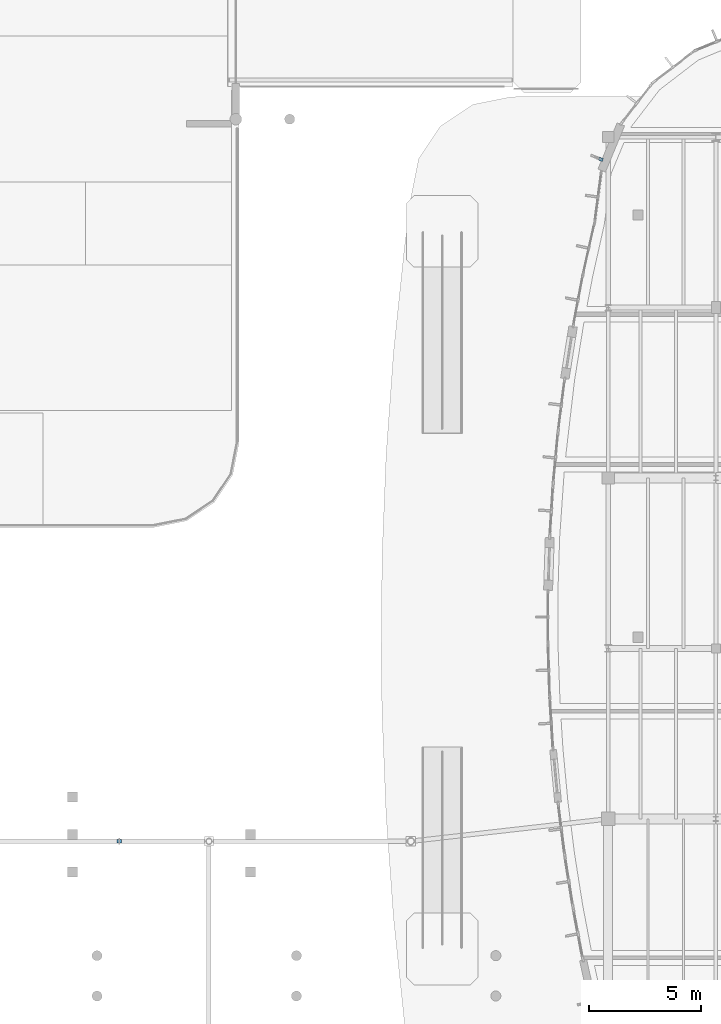
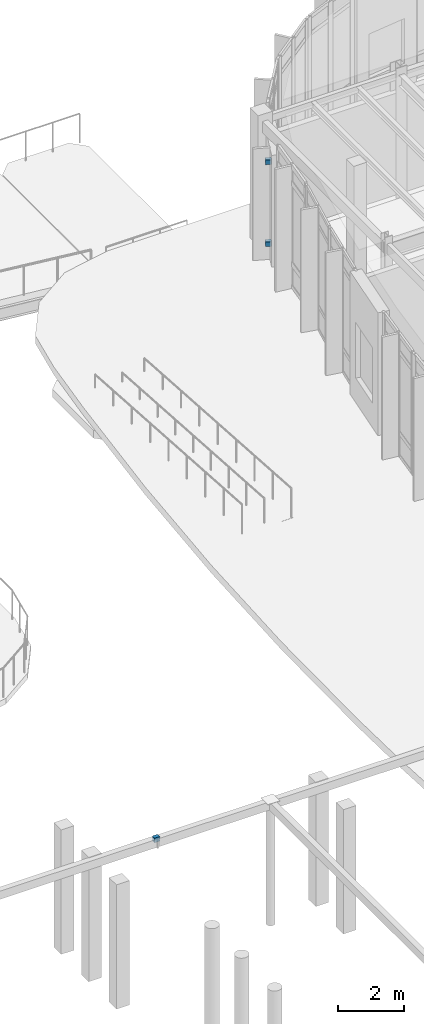
# One storey, part 101 of 120: 3 discrete accessories.
"""IFC4 building model written with IfcOpenShell, lengths in metres."""

import ifcopenshell
import ifcopenshell.guid

model = None  # the IFC model being written
_history = None  # IfcOwnerHistory: only IFC2X3 demands one
_inside = {}  # id of a spatial element -> (the spatial element, [elements in it])
_under = {}  # id of a project, library or spatial element -> (it, [spatial elements below it])
_declared = {}  # id of a project -> (the project, [libraries it declares])
_typed = {}  # id of a type object -> (the type object, [elements of that type])
_made_of = {}  # id of a material, layer set ... -> (it, [elements and type objects made of it])


def new_model(schema):
    """Start an empty IFC model of exactly this schema.

    Asked for "IFC4X3", IfcOpenShell would pick the latest addendum, in which some entities
    have other attributes; the version numbers below select the first issue.
    IFC2X3 requires an IfcOwnerHistory on every rooted entity: one is made here for all.
    """
    global model, _history
    if schema == "IFC4X3":
        model = ifcopenshell.file(schema_version=(4, 3, 0, 0))
    else:
        model = ifcopenshell.file(schema=schema)
    _inside.clear()
    _under.clear()
    _declared.clear()
    _typed.clear()
    _made_of.clear()
    _history = None
    if model.schema == "IFC2X3":
        org = make("IfcOrganization", Name="unknown")
        user = make(
            "IfcPersonAndOrganization",
            ThePerson=make("IfcPerson", FamilyName="unknown"),
            TheOrganization=org,
        )
        app = make(
            "IfcApplication",
            ApplicationDeveloper=org,
            Version="unknown",
            ApplicationFullName="unknown",
            ApplicationIdentifier="unknown",
        )
        _history = make(
            "IfcOwnerHistory",
            OwningUser=user,
            OwningApplication=app,
            ChangeAction="ADDED",
            CreationDate=0,
        )
    return model


def make(cls, **values):
    """One entity of the class cls with the attributes given. An attribute that is None is left unset."""
    return model.create_entity(
        cls, **{name: value for name, value in values.items() if value is not None}
    )


def rooted(cls, **values):
    """An entity with a GlobalId (a new one), such as an element, a storey or a relation."""
    return make(cls, GlobalId=ifcopenshell.guid.new(), OwnerHistory=_history, **values)


def si_unit(unit_type, name, prefix=None):
    """IfcSIUnit, for example si_unit("LENGTHUNIT", "METRE", prefix="MILLI")."""
    return make("IfcSIUnit", UnitType=unit_type, Prefix=prefix, Name=name)


def assignment(units):
    """IfcUnitAssignment: the units of a project."""
    return None if units is None else make("IfcUnitAssignment", Units=units)


def point(xyz):
    """IfcCartesianPoint."""
    return None if xyz is None else make("IfcCartesianPoint", Coordinates=xyz)


def direction(xyz):
    """IfcDirection."""
    return None if xyz is None else make("IfcDirection", DirectionRatios=xyz)


def frame(location, z_axis=None, x_axis=None):
    """IfcAxis2Placement3D, a coordinate frame: its origin and axes. An axis left out is left unset."""
    return make(
        "IfcAxis2Placement3D",
        Location=point(location),
        Axis=direction(z_axis),
        RefDirection=direction(x_axis),
    )


def frame_2d(location, x_axis=None):
    """IfcAxis2Placement2D, a coordinate frame in the plane: its origin and x axis."""
    return make(
        "IfcAxis2Placement2D", Location=point(location), RefDirection=direction(x_axis)
    )


def origin():
    """The frame at (0, 0, 0) with its axes left unset."""
    return frame((0.0, 0.0, 0.0))


def origin_2d():
    """The frame at (0, 0) in the plane with its x axis left unset."""
    return frame_2d((0.0, 0.0))


def place(relative_to, where):
    """IfcLocalPlacement: puts the frame where relative to a parent placement (None: the world)."""
    return make(
        "IfcLocalPlacement", PlacementRelTo=relative_to, RelativePlacement=where
    )


def context(
    kind, dimensions, precision=None, world=None, true_north=None, identifier=None
):
    """IfcGeometricRepresentationContext, for example the 3D "Model" context."""
    return make(
        "IfcGeometricRepresentationContext",
        ContextIdentifier=identifier,
        ContextType=kind,
        CoordinateSpaceDimension=dimensions,
        Precision=precision,
        WorldCoordinateSystem=world,
        TrueNorth=true_north,
    )


def subcontext(parent, identifier, kind, view, scale=None):
    """IfcGeometricRepresentationSubContext, for example "Body" below "Model"."""
    return make(
        "IfcGeometricRepresentationSubContext",
        ContextIdentifier=identifier,
        ContextType=kind,
        ParentContext=parent,
        TargetScale=scale,
        TargetView=view,
    )


def project(units=None, contexts=None):
    """IfcProject with its units and contexts."""
    return rooted(
        "IfcProject",
        Name="project",
        RepresentationContexts=contexts,
        UnitsInContext=assignment(units),
    )


def spatial(cls, under=None, at=None, **own):
    """A site, building, storey or space (cls), placed at a placement, below another one or the project."""
    s = rooted(cls, ObjectPlacement=at, **own)
    if under is not None:
        _under.setdefault(under.id(), (under, []))[1].append(s)
    return s


def profile(cls, at=None, kind="AREA", **sizes):
    """A parametric profile (cls). Its sizes go by their IFC names, for example OverallWidth=200.0."""
    return make(cls, ProfileType=kind, Position=at, **sizes)


def rectangle(**sizes):
    """IfcRectangleProfileDef."""
    return profile("IfcRectangleProfileDef", **sizes)


def extrude(swept, where, along, depth):
    """IfcExtrudedAreaSolid: the profile swept, set in the frame where, extruded along a direction by depth."""
    return make(
        "IfcExtrudedAreaSolid",
        SweptArea=swept,
        Position=where,
        ExtrudedDirection=direction(along),
        Depth=depth,
    )


def shape(context_of_items, identifier, shape_type, items):
    """IfcShapeRepresentation: the items that make up one representation, for example the "Body"."""
    return make(
        "IfcShapeRepresentation",
        ContextOfItems=context_of_items,
        RepresentationIdentifier=identifier,
        RepresentationType=shape_type,
        Items=items,
    )


def material(Name=None, Category=None):
    """IfcMaterial."""
    return make("IfcMaterial", Name=Name, Category=Category)


def made_of(thing, what):
    """Note that an element or type object is made of a material, layer set ...; save() writes the relation."""
    if what is not None:
        _made_of.setdefault(what.id(), (what, []))[1].append(thing)
    return thing


def type_object(cls, material=None, **own):
    """A type object (cls), such as IfcWallType, which elements share."""
    return made_of(rooted(cls, **own), material)


def element(
    cls,
    number,
    at=None,
    inside=None,
    cuts=None,
    type_object=None,
    material=None,
    context=None,
    identifier="Body",
    shape_type=None,
    held_by="IfcProductDefinitionShape",
    body=None,
    shapes=None,
    **own,
):
    """One element of the class cls, such as IfcWall. Its Tag is "e" and its number.

    at: its placement. inside: the storey or other place that contains it. cuts: it is an
    opening in that element (IfcRelVoidsElement). A single representation is given by context,
    identifier, shape_type and body (its items); several are given by shapes. held_by: the class
    of the entity that holds the representations. save() writes the other relations.
    """
    e = rooted(cls, Tag="e%d" % number, ObjectPlacement=at, **own)
    if body is not None:
        shapes = [shape(context, identifier, shape_type, body)]
    if shapes is not None:
        e.Representation = make(held_by, Representations=shapes)
    if inside is not None:
        _inside.setdefault(inside.id(), (inside, []))[1].append(e)
    if cuts is not None:
        rooted(
            "IfcRelVoidsElement", RelatingBuildingElement=cuts, RelatedOpeningElement=e
        )
    if type_object is not None:
        _typed.setdefault(type_object.id(), (type_object, []))[1].append(e)
    return made_of(e, material)


def aggregate(whole, parts):
    """IfcRelAggregates: a whole, such as a stair, and the parts it consists of."""
    return rooted("IfcRelAggregates", RelatingObject=whole, RelatedObjects=parts)


def save(model, path):
    """Write the relations noted so far, then the file.

    IfcRelAggregates (storeys below a building ...), IfcRelContainedInSpatialStructure (elements
    in a storey), IfcRelDefinesByType, IfcRelAssociatesMaterial and IfcRelDeclares: one each for
    every whole, place, type object, material and project.
    """
    for whole, parts in _under.values():
        aggregate(whole, parts)
    for where, things in _inside.values():
        rooted(
            "IfcRelContainedInSpatialStructure",
            RelatedElements=things,
            RelatingStructure=where,
        )
    for kind, things in _typed.values():
        rooted("IfcRelDefinesByType", RelatedObjects=things, RelatingType=kind)
    for what, things in _made_of.values():
        rooted("IfcRelAssociatesMaterial", RelatedObjects=things, RelatingMaterial=what)
    for by, libraries in _declared.values():
        rooted("IfcRelDeclares", RelatingContext=by, RelatedDefinitions=libraries)
    model.write(path)


model = new_model("IFC4")

# Units and contexts
model_context = context("Model", 3, precision=1e-05, world=origin(), true_north=direction((0.0, 1.0)))
body_context = subcontext(model_context, "Body", "Model", "MODEL_VIEW")
ifc_project = project(units=[si_unit("LENGTHUNIT", "METRE"), si_unit("AREAUNIT", "SQUARE_METRE"), si_unit("VOLUMEUNIT", "CUBIC_METRE"), si_unit("PLANEANGLEUNIT", "RADIAN"), si_unit("MASSUNIT", "GRAM", prefix="KILO")], contexts=[model_context])

# Site, building, storey
site_placement = place(None, origin())
site = spatial("IfcSite", under=ifc_project, at=site_placement, CompositionType="ELEMENT")
building_placement = place(site_placement, origin())
building = spatial("IfcBuilding", under=site, at=building_placement, Name="Corveleigh Park Community Centre", CompositionType="ELEMENT")
storey_placement = place(building_placement, origin())
storey = spatial("IfcBuildingStorey", under=building, at=storey_placement, Name="L00", CompositionType="ELEMENT", Elevation=0.0)

# Discrete accessories
ifc_material = material(Name="Stainless steel 316 balustrade", Category="steel")
discrete_accessory_type = type_object("IfcDiscreteAccessoryType", Name="ACC-BRK-STL", PredefinedType="BRACKET", material=ifc_material)
for number, where, z_axis, x_axis, name in (
    (1, (129.48095703125, 103.2080078125, 0.5), (0.0, 0.0, 1.0), (-0.923738247695, 0.383024346152, 0.0), "Fin fixing bracket lower"),
    (2, (129.48095703125, 103.2080078125, 3.525146484375), (0.0, 0.0, 1.0), (-0.923738247695, 0.383024346152, 0.0), "Fin fixing bracket upper"),
    (3, (108.0, 72.800048828125, 4.449951171875), (0.0, 0.0, 1.0), (1.0, 0.0, 0.0), "Canopy louvre bracket 7"),
):
    element("IfcDiscreteAccessory", number, at=place(storey_placement, frame(where, z_axis=z_axis, x_axis=x_axis)), inside=storey, type_object=discrete_accessory_type, Name=name, PredefinedType="BRACKET", context=body_context, shape_type="SweptSolid", body=[
        extrude(rectangle(XDim=0.179931640625, YDim=0.139892578125, at=origin_2d()), origin(), (0.0, 0.0, 1.0), 0.169921875),
    ])

save(model, "model.ifc")
